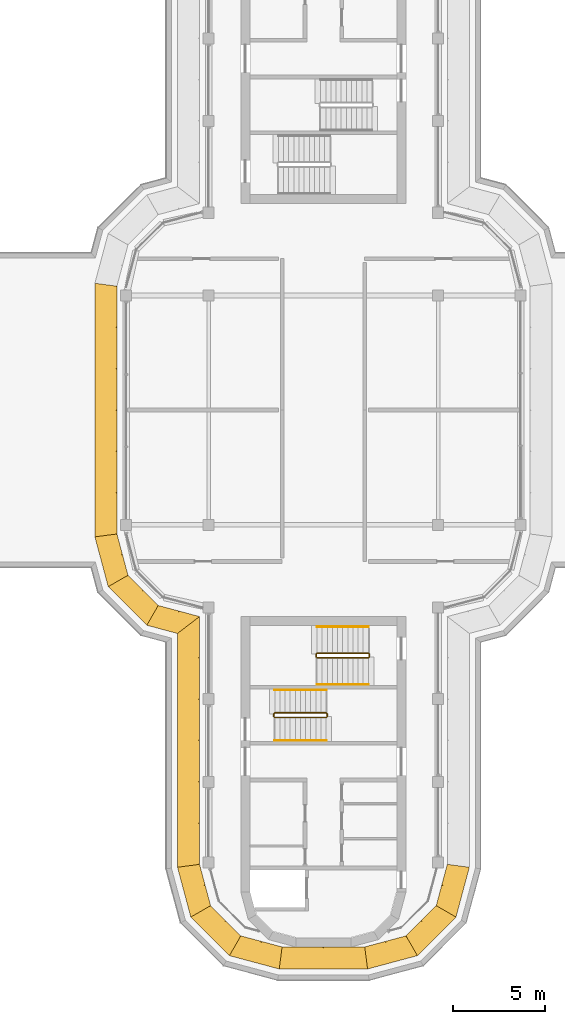
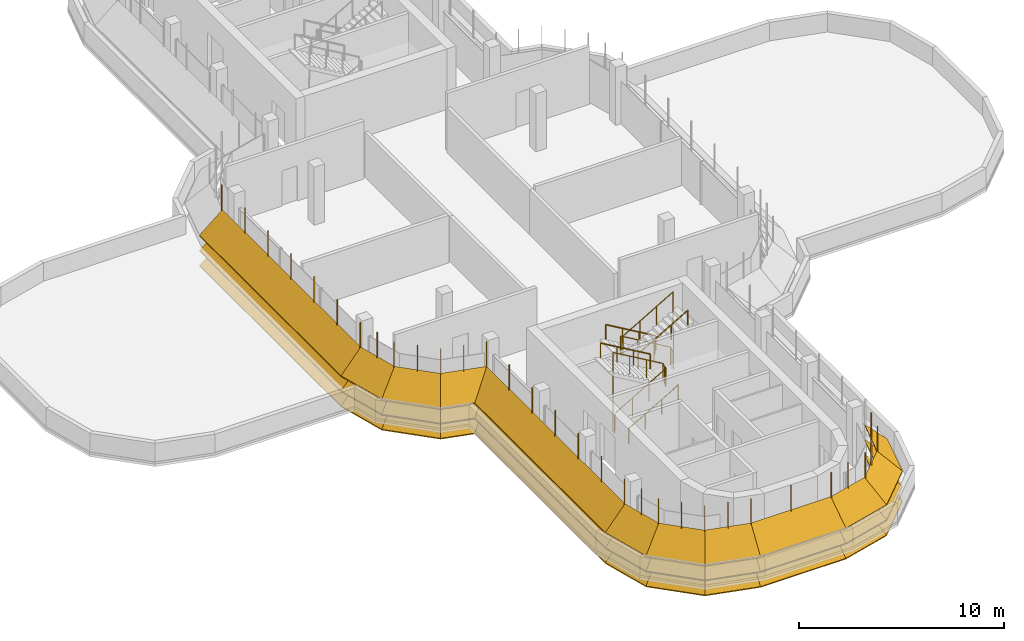
# One storey, part 11 of 13: 6 railings, 6 shading devices.
"""IFC4 building model written with IfcOpenShell, lengths in metres."""

from ifc_helpers import new_model, si_unit, direction, frame, origin, origin_2d, place, context, subcontext, project, spatial, polyline, circle, outline, extrude, faceted_brep, source, transform, mapped, material, type_object, element, save


model = new_model("IFC4")

# Units and contexts
model_context = context("Model", 3, precision=1e-05, world=origin(), true_north=direction((0.0, 1.0)))
body_context = subcontext(model_context, "Body", "Model", "MODEL_VIEW")
ifc_project = project(units=[si_unit("LENGTHUNIT", "METRE"), si_unit("AREAUNIT", "SQUARE_METRE"), si_unit("VOLUMEUNIT", "CUBIC_METRE"), si_unit("PLANEANGLEUNIT", "RADIAN"), si_unit("MASSUNIT", "GRAM", prefix="KILO")], contexts=[model_context])

# Site, building, storey
site_placement = place(None, origin())
site = spatial("IfcSite", under=ifc_project, at=site_placement, CompositionType="ELEMENT")
building_placement = place(site_placement, origin())
building = spatial("IfcBuilding", under=site, at=building_placement, Name="Zarbagh Exchange Tower", CompositionType="ELEMENT")
storey_placement = place(building_placement, frame((0.0, 0.0, 298.800048828125)))
storey = spatial("IfcBuildingStorey", under=building, at=storey_placement, Name="L73", CompositionType="ELEMENT", Elevation=298.800048828125)

# Railings
ifc_material_1 = material(Name="Stainless steel", Category="steel")
railing_type_1 = type_object("IfcRailingType", Name="Stair guard 1100 mm", PredefinedType="GUARDRAIL", material=ifc_material_1)
railing_1_placement = place(storey_placement, frame((-2.64990234375, -16.75, 0.16357421875)))
element("IfcRailing", 1, at=railing_1_placement, inside=storey, type_object=railing_type_1, Name="ST3 stair guard 1", PredefinedType="GUARDRAIL", context=body_context, shape_type="SweptSolid", body=[
    extrude(circle(Radius=0.02392578125, at=origin_2d()), frame((0.0, 0.0, 1.076171875), z_axis=(0.863341702679, 0.0, 0.504619762213), x_axis=(0.0, 1.0, 0.0)), (0.0, 0.0, 1.0), 3.242919921875),
    extrude(circle(Radius=0.02392578125, at=origin_2d()), frame((2.7998046875, 0.0, 2.71240234375), z_axis=(0.707106781187, 0.707106781187, 0.0), x_axis=(-0.707106781187, 0.707106781187, 0.0)), (0.0, 0.0, 1.0), 0.07080078125),
    extrude(circle(Radius=0.02392578125, at=origin_2d()), frame((2.849853515625, 0.050048828125, 2.71240234375), z_axis=(0.0, 1.0, 0.0), x_axis=(-1.0, 0.0, 0.0)), (0.0, 0.0, 1.0), 0.14990234375),
    extrude(circle(Radius=0.02392578125, at=origin_2d()), frame((2.849853515625, 0.199951171875, 2.71240234375), z_axis=(-0.280808744504, 0.280808744504, 0.917765164963), x_axis=(-0.707106781187, -0.707106781187, 0.0)), (0.0, 0.0, 1.0), 0.17822265625),
    extrude(circle(Radius=0.02392578125, at=origin_2d()), frame((2.7998046875, 0.25, 2.8759765625), z_axis=(-0.863374499697, 0.0, 0.504563646405), x_axis=(0.0, -1.0, 0.0)), (0.0, 0.0, 1.0), 3.242919921875),
    extrude(circle(Radius=0.02392578125, at=origin_2d()), frame((0.0, 0.25, 4.51220703125), z_axis=(-0.013900331382, -0.013900331382, -0.999806762117), x_axis=(0.707106781187, -0.707106781187, 0.0)), (0.0, 0.0, 1.0), 3.6005859375),
    extrude(circle(Radius=0.02392578125, at=origin_2d()), frame((-0.050048828125, 0.199951171875, 0.91259765625), z_axis=(0.0, -1.0, 0.0), x_axis=(1.0, 0.0, 0.0)), (0.0, 0.0, 1.0), 0.14990234375),
    extrude(circle(Radius=0.02099609375, at=origin_2d()), origin(), (0.0, 0.0, 1.0), 1.052001953125),
    extrude(circle(Radius=0.02099609375, at=origin_2d()), frame((0.933349609375, 0.0, 0.54541015625)), (0.0, 0.0, 1.0), 1.052001953125),
    extrude(circle(Radius=0.02099609375, at=origin_2d()), frame((1.866455078125, 0.0, 1.091064453125)), (0.0, 0.0, 1.0), 1.052001953125),
    extrude(circle(Radius=0.02099609375, at=origin_2d()), frame((2.7998046875, 0.0, 1.636474609375)), (0.0, 0.0, 1.0), 1.052001953125),
    extrude(circle(Radius=0.02099609375, at=origin_2d()), frame((2.849853515625, 0.050048828125, 1.636474609375)), (0.0, 0.0, 1.0), 1.052001953125),
    extrude(circle(Radius=0.02099609375, at=origin_2d()), frame((2.849853515625, 0.199951171875, 1.636474609375)), (0.0, 0.0, 1.0), 1.052001953125),
    extrude(circle(Radius=0.02099609375, at=origin_2d()), frame((2.7998046875, 0.25, 1.800048828125)), (0.0, 0.0, 1.0), 1.052001953125),
    extrude(circle(Radius=0.02099609375, at=origin_2d()), frame((1.866455078125, 0.25, 2.345458984375)), (0.0, 0.0, 1.0), 1.052001953125),
    extrude(circle(Radius=0.02099609375, at=origin_2d()), frame((0.933349609375, 0.25, 2.890869140625)), (0.0, 0.0, 1.0), 1.052001953125),
    extrude(circle(Radius=0.02099609375, at=origin_2d()), frame((0.0, 0.25, 3.436279296875)), (0.0, 0.0, 1.0), 1.052001953125),
    extrude(circle(Radius=0.02099609375, at=origin_2d()), frame((-0.012451171875, 0.237548828125, 2.536376953125)), (0.0, 0.0, 1.0), 1.052001953125),
    extrude(circle(Radius=0.02099609375, at=origin_2d()), frame((-0.02490234375, 0.22509765625, 1.63623046875)), (0.0, 0.0, 1.0), 1.052001953125),
    extrude(circle(Radius=0.02099609375, at=origin_2d()), frame((-0.03759765625, 0.21240234375, 0.736328125)), (0.0, 0.0, 1.0), 1.052001953125),
    extrude(circle(Radius=0.02099609375, at=origin_2d()), frame((-0.050048828125, 0.199951171875, -0.16357421875)), (0.0, 0.0, 1.0), 1.052001953125),
    extrude(circle(Radius=0.02099609375, at=origin_2d()), frame((-0.050048828125, 0.050048828125, -0.16357421875)), (0.0, 0.0, 1.0), 1.052001953125),
])
railing_2_placement = place(storey_placement, frame((-0.35009765625, -13.5, 1.963623046875)))
element("IfcRailing", 2, at=railing_2_placement, inside=storey, type_object=railing_type_1, Name="ST4 stair guard 1", PredefinedType="GUARDRAIL", context=body_context, shape_type="SweptSolid", body=[
    extrude(circle(Radius=0.02392578125, at=origin_2d()), frame((0.0, 0.0, 1.076171875), z_axis=(0.863393664356, 0.0, 0.504530851732), x_axis=(0.0, 1.0, 0.0)), (0.0, 0.0, 1.0), 3.2431640625),
    extrude(circle(Radius=0.02392578125, at=origin_2d()), frame((2.800048828125, 0.0, 2.71240234375), z_axis=(0.013900331382, 0.013900331382, -0.999806762117), x_axis=(-0.707106781187, 0.707106781187, 0.0)), (0.0, 0.0, 1.0), 3.6005859375),
    extrude(circle(Radius=0.02392578125, at=origin_2d()), frame((2.85009765625, 0.050048828125, -0.8876953125), z_axis=(0.0, 1.0, 0.0), x_axis=(-1.0, 0.0, 0.0)), (0.0, 0.0, 1.0), 0.14990234375),
    extrude(circle(Radius=0.02392578125, at=origin_2d()), frame((2.85009765625, 0.199951171875, -0.8876953125), z_axis=(-0.280808744504, 0.280808744504, 0.917765164963), x_axis=(-0.707106781187, -0.707106781187, 0.0)), (0.0, 0.0, 1.0), 0.17822265625),
    extrude(circle(Radius=0.02392578125, at=origin_2d()), frame((2.800048828125, 0.25, -0.72412109375), z_axis=(-0.863360870873, 0.0, 0.504586966384), x_axis=(0.0, -1.0, 0.0)), (0.0, 0.0, 1.0), 3.2431640625),
    extrude(circle(Radius=0.02392578125, at=origin_2d()), frame((0.0, 0.25, 0.91259765625), z_axis=(-0.705375805398, -0.708833529934, 0.0), x_axis=(0.708833529934, -0.705375805398, 0.0)), (0.0, 0.0, 1.0), 0.070556640625),
    extrude(circle(Radius=0.02392578125, at=origin_2d()), frame((-0.0498046875, 0.199951171875, 0.91259765625), z_axis=(0.0, -1.0, 0.0), x_axis=(1.0, 0.0, 0.0)), (0.0, 0.0, 1.0), 0.14990234375),
    extrude(circle(Radius=0.02099609375, at=origin_2d()), origin(), (0.0, 0.0, 1.0), 1.052001953125),
    extrude(circle(Radius=0.02099609375, at=origin_2d()), frame((0.933349609375, 0.0, 0.54541015625)), (0.0, 0.0, 1.0), 1.052001953125),
    extrude(circle(Radius=0.02099609375, at=origin_2d()), frame((1.86669921875, 0.0, 1.0908203125)), (0.0, 0.0, 1.0), 1.052001953125),
    extrude(circle(Radius=0.02099609375, at=origin_2d()), frame((2.800048828125, 0.0, 1.63623046875)), (0.0, 0.0, 1.0), 1.052001953125),
    extrude(circle(Radius=0.02099609375, at=origin_2d()), frame((2.8125, 0.012451171875, 0.736328125)), (0.0, 0.0, 1.0), 1.052001953125),
    extrude(circle(Radius=0.02099609375, at=origin_2d()), frame((2.8251953125, 0.02490234375, -0.16357421875)), (0.0, 0.0, 1.0), 1.052001953125),
    extrude(circle(Radius=0.02099609375, at=origin_2d()), frame((2.837646484375, 0.03759765625, -1.063720703125)), (0.0, 0.0, 1.0), 1.052001953125),
    extrude(circle(Radius=0.02099609375, at=origin_2d()), frame((2.85009765625, 0.050048828125, -1.963623046875)), (0.0, 0.0, 1.0), 1.052001953125),
    extrude(circle(Radius=0.02099609375, at=origin_2d()), frame((2.85009765625, 0.199951171875, -1.963623046875)), (0.0, 0.0, 1.0), 1.052001953125),
    extrude(circle(Radius=0.02099609375, at=origin_2d()), frame((2.800048828125, 0.25, -1.800048828125)), (0.0, 0.0, 1.0), 1.052001953125),
    extrude(circle(Radius=0.02099609375, at=origin_2d()), frame((1.86669921875, 0.25, -1.254638671875)), (0.0, 0.0, 1.0), 1.052001953125),
    extrude(circle(Radius=0.02099609375, at=origin_2d()), frame((0.933349609375, 0.25, -0.708984375)), (0.0, 0.0, 1.0), 1.052001953125),
    extrude(circle(Radius=0.02099609375, at=origin_2d()), frame((0.0, 0.25, -0.16357421875)), (0.0, 0.0, 1.0), 1.052001953125),
    extrude(circle(Radius=0.02099609375, at=origin_2d()), frame((-0.0498046875, 0.199951171875, -0.16357421875)), (0.0, 0.0, 1.0), 1.052001953125),
    extrude(circle(Radius=0.02099609375, at=origin_2d()), frame((-0.0498046875, 0.050048828125, -0.16357421875)), (0.0, 0.0, 1.0), 1.052001953125),
])
railing_type_2 = type_object("IfcRailingType", Name="Stair handrail 900 mm", PredefinedType="HANDRAIL", material=ifc_material_1)
railing_3_placement = place(storey_placement, frame((-2.64990234375, -18.0, 0.16357421875)))
element("IfcRailing", 3, at=railing_3_placement, inside=storey, type_object=railing_type_2, Name="ST3 stair handrail 1", PredefinedType="HANDRAIL", context=body_context, shape_type="SweptSolid", body=[
    extrude(circle(Radius=0.02392578125, at=origin_2d()), frame((0.0, 0.0, 0.8759765625), z_axis=(0.863341702679, 0.0, 0.504619762213), x_axis=(0.0, 1.0, 0.0)), (0.0, 0.0, 1.0), 3.242919921875),
    extrude(circle(Radius=0.02099609375, at=origin_2d()), origin(), (0.0, 0.0, 1.0), 0.851806640625),
    extrude(circle(Radius=0.02099609375, at=origin_2d()), frame((0.933349609375, 0.0, 0.54541015625)), (0.0, 0.0, 1.0), 0.851806640625),
    extrude(circle(Radius=0.02099609375, at=origin_2d()), frame((1.866455078125, 0.0, 1.091064453125)), (0.0, 0.0, 1.0), 0.851806640625),
    extrude(circle(Radius=0.02099609375, at=origin_2d()), frame((2.7998046875, 0.0, 1.636474609375)), (0.0, 0.0, 1.0), 0.851806640625),
])
railing_4_placement = place(storey_placement, frame((0.14990234375, -15.25, 1.963623046875)))
element("IfcRailing", 4, at=railing_4_placement, inside=storey, type_object=railing_type_2, Name="ST3 stair handrail 2", PredefinedType="HANDRAIL", context=body_context, shape_type="SweptSolid", body=[
    extrude(circle(Radius=0.02392578125, at=origin_2d()), frame((0.0, 0.0, 0.8759765625), z_axis=(-0.863374499697, 0.0, 0.504563646405), x_axis=(0.0, -1.0, 0.0)), (0.0, 0.0, 1.0), 3.242919921875),
    extrude(circle(Radius=0.02099609375, at=origin_2d()), origin(), (0.0, 0.0, 1.0), 0.851806640625),
    extrude(circle(Radius=0.02099609375, at=origin_2d()), frame((-0.933349609375, 0.0, 0.54541015625)), (0.0, 0.0, 1.0), 0.851806640625),
    extrude(circle(Radius=0.02099609375, at=origin_2d()), frame((-1.866455078125, 0.0, 1.0908203125)), (0.0, 0.0, 1.0), 0.851806640625),
    extrude(circle(Radius=0.02099609375, at=origin_2d()), frame((-2.7998046875, 0.0, 1.63623046875)), (0.0, 0.0, 1.0), 0.851806640625),
])
railing_5_placement = place(storey_placement, frame((2.449951171875, -11.800048828125, 0.16357421875)))
element("IfcRailing", 5, at=railing_5_placement, inside=storey, type_object=railing_type_2, Name="ST4 stair handrail 1", PredefinedType="HANDRAIL", context=body_context, shape_type="SweptSolid", body=[
    extrude(circle(Radius=0.02392578125, at=origin_2d()), frame((0.0, 0.0, 0.8759765625), z_axis=(-0.863360870873, 0.0, 0.504586966384), x_axis=(0.0, -1.0, 0.0)), (0.0, 0.0, 1.0), 3.2431640625),
    extrude(circle(Radius=0.02099609375, at=origin_2d()), origin(), (0.0, 0.0, 1.0), 0.851806640625),
    extrude(circle(Radius=0.02099609375, at=origin_2d()), frame((-0.933349609375, 0.0, 0.54541015625)), (0.0, 0.0, 1.0), 0.851806640625),
    extrude(circle(Radius=0.02099609375, at=origin_2d()), frame((-1.86669921875, 0.0, 1.091064453125)), (0.0, 0.0, 1.0), 0.851806640625),
    extrude(circle(Radius=0.02099609375, at=origin_2d()), frame((-2.800048828125, 0.0, 1.636474609375)), (0.0, 0.0, 1.0), 0.851806640625),
])
railing_6_placement = place(storey_placement, frame((-0.35009765625, -14.949951171875, 1.963623046875)))
element("IfcRailing", 6, at=railing_6_placement, inside=storey, type_object=railing_type_2, Name="ST4 stair handrail 2", PredefinedType="HANDRAIL", context=body_context, shape_type="SweptSolid", body=[
    extrude(circle(Radius=0.02392578125, at=origin_2d()), frame((0.0, 0.0, 0.8759765625), z_axis=(0.863393664356, 0.0, 0.504530851732), x_axis=(0.0, 1.0, 0.0)), (0.0, 0.0, 1.0), 3.2431640625),
    extrude(circle(Radius=0.02099609375, at=origin_2d()), origin(), (0.0, 0.0, 1.0), 0.851806640625),
    extrude(circle(Radius=0.02099609375, at=origin_2d()), frame((0.933349609375, 0.0, 0.54541015625)), (0.0, 0.0, 1.0), 0.851806640625),
    extrude(circle(Radius=0.02099609375, at=origin_2d()), frame((1.86669921875, 0.0, 1.0908203125)), (0.0, 0.0, 1.0), 0.851806640625),
    extrude(circle(Radius=0.02099609375, at=origin_2d()), frame((2.800048828125, 0.0, 1.63623046875)), (0.0, 0.0, 1.0), 0.851806640625),
])

# Shading devices
ifc_material_2 = material(Name="Anodised aluminium blades and brackets", Category="aluminium")
shading_device_type = type_object("IfcShadingDeviceType", Name="SUNSHADE louvre band, 45 degree blades", PredefinedType="JALOUSIE", material=ifc_material_2)
shared_shape_1 = source(origin(), body_context, "Body", "Brep", [
    faceted_brep([(0.0, 0.0, 0.0), (0.0, 0.0, -0.056640625), (-0.157958984375, -1.199951171875, -1.256591796875), (-0.157958984375, -1.199951171875, -1.199951171875), (2.65087890625, -1.199951171875, -1.199951171875), (2.65087890625, -1.199951171875, -1.256591796875), (2.329345703125, 0.0, -0.056640625), (2.329345703125, 0.0, 0.0)], [[[0, 1, 2, 3]], [[4, 5, 6, 7]], [[0, 7, 6, 1]], [[1, 6, 5, 2]], [[2, 5, 4, 3]], [[3, 4, 7, 0]]]),
])
shared_shape_2 = source(origin(), body_context, "Body", "Brep", [
    faceted_brep([(0.0, 0.0, 0.0), (0.0, 0.0, -0.056640625), (-0.321533203125, -1.199951171875, -1.256591796875), (-0.321533203125, -1.199951171875, -1.199951171875), (2.65087890625, -1.199951171875, -1.199951171875), (2.65087890625, -1.199951171875, -1.256591796875), (2.329345703125, 0.0, -0.056640625), (2.329345703125, 0.0, 0.0)], [[[0, 1, 2, 3]], [[4, 5, 6, 7]], [[0, 7, 6, 1]], [[1, 6, 5, 2]], [[2, 5, 4, 3]], [[3, 4, 7, 0]]]),
])
shared_shape_3 = source(origin(), body_context, "Body", "Brep", [
    faceted_brep([(0.0, 0.0, 0.0), (0.0, 0.0, -0.056640625), (-0.321533203125, -1.199951171875, -1.256591796875), (-0.321533203125, -1.199951171875, -1.199951171875), (2.4873046875, -1.199951171875, -1.199951171875), (2.4873046875, -1.199951171875, -1.256591796875), (2.329345703125, 0.0, -0.056640625), (2.329345703125, 0.0, 0.0)], [[[0, 1, 2, 3]], [[4, 5, 6, 7]], [[0, 7, 6, 1]], [[1, 6, 5, 2]], [[2, 5, 4, 3]], [[3, 4, 7, 0]]]),
])
shared_shape_4 = source(origin(), body_context, "Body", "SweptSolid", [
    extrude(outline(polyline([(0.0, -0.012451171875), (0.06005859375, -0.012451171875), (0.06005859375, 0.012451171875), (0.0, 0.012451171875), (0.0, -0.012451171875)])), origin(), (0.0, 0.0, 1.0), 3.366455078125),
])
placement = place(storey_placement, origin())
element("IfcShadingDevice", 7, at=placement, inside=storey, type_object=shading_device_type, Name="SS55 sunshade band", PredefinedType="JALOUSIE", context=body_context, shape_type="MappedRepresentation", body=[
    mapped(shared_shape_1, transform((2.25, -29.25, 2.099853515625), x_axis=(0.965924289636, 0.258824779902, 0.0), y_axis=(-0.258824779902, 0.965924289636, 0.0), z_axis=(0.0, 0.0, 1.0))),
    mapped(shared_shape_1, transform((2.25, -29.25, 1.199951171875), x_axis=(0.965924289636, 0.258824779902, 0.0), y_axis=(-0.258824779902, 0.965924289636, 0.0), z_axis=(0.0, 0.0, 1.0))),
    mapped(shared_shape_1, transform((2.25, -29.25, 0.300048828125), x_axis=(0.965924289636, 0.258824779902, 0.0), y_axis=(-0.258824779902, 0.965924289636, 0.0), z_axis=(0.0, 0.0, 1.0))),
    mapped(shared_shape_2, transform((4.5, -28.647216796875, 2.099853515625), x_axis=(0.707106781187, 0.707106781187, 0.0), y_axis=(-0.707106781187, 0.707106781187, 0.0), z_axis=(0.0, 0.0, 1.0))),
    mapped(shared_shape_2, transform((4.5, -28.647216796875, 1.199951171875), x_axis=(0.707106781187, 0.707106781187, 0.0), y_axis=(-0.707106781187, 0.707106781187, 0.0), z_axis=(0.0, 0.0, 1.0))),
    mapped(shared_shape_2, transform((4.5, -28.647216796875, 0.300048828125), x_axis=(0.707106781187, 0.707106781187, 0.0), y_axis=(-0.707106781187, 0.707106781187, 0.0), z_axis=(0.0, 0.0, 1.0))),
    mapped(shared_shape_3, transform((6.147216796875, -27.0, 2.099853515625), x_axis=(0.258824779902, 0.965924289636, 0.0), y_axis=(-0.965924289636, 0.258824779902, 0.0), z_axis=(0.0, 0.0, 1.0))),
    mapped(shared_shape_3, transform((6.147216796875, -27.0, 1.199951171875), x_axis=(0.258824779902, 0.965924289636, 0.0), y_axis=(-0.965924289636, 0.258824779902, 0.0), z_axis=(0.0, 0.0, 1.0))),
    mapped(shared_shape_3, transform((6.147216796875, -27.0, 0.300048828125), x_axis=(0.258824779902, 0.965924289636, 0.0), y_axis=(-0.965924289636, 0.258824779902, 0.0), z_axis=(0.0, 0.0, 1.0))),
    mapped(shared_shape_4, transform((2.25, -29.25, 0.21337890625), x_axis=(0.130529263012, -0.991444457092, 0.0), y_axis=(0.991444457092, 0.130529263012, 0.0), z_axis=(0.0, 0.0, 1.0))),
    mapped(shared_shape_4, transform((3.375, -28.948486328125, 0.21337890625), x_axis=(0.258825058029, -0.96592421511, 0.0), y_axis=(0.96592421511, 0.258825058029, 0.0), z_axis=(0.0, 0.0, 1.0))),
    mapped(shared_shape_4, transform((4.5, -28.647216796875, 0.21337890625), x_axis=(0.50000275701, -0.866023812018, 0.0), y_axis=(0.866023812018, 0.50000275701, 0.0), z_axis=(0.0, 0.0, 1.0))),
    mapped(shared_shape_4, transform((5.323486328125, -27.823486328125, 0.21337890625), x_axis=(0.707106781187, -0.707106781187, 0.0), y_axis=(0.707106781187, 0.707106781187, 0.0), z_axis=(0.0, 0.0, 1.0))),
    mapped(shared_shape_4, transform((6.147216796875, -27.0, 0.21337890625), x_axis=(0.866023812018, -0.50000275701, 0.0), y_axis=(0.50000275701, 0.866023812018, 0.0), z_axis=(0.0, 0.0, 1.0))),
    mapped(shared_shape_4, transform((6.448486328125, -25.875, 0.21337890625), x_axis=(0.96592421511, -0.258825058029, 0.0), y_axis=(0.258825058029, 0.96592421511, 0.0), z_axis=(0.0, 0.0, 1.0))),
])
shared_shape_5 = source(origin(), body_context, "Body", "Brep", [
    faceted_brep([(0.0, 0.0, 0.0), (0.0, 0.0, -0.056640625), (-0.321533203125, -1.199951171875, -1.256591796875), (-0.321533203125, -1.199951171875, -1.199951171875), (1.40869140625, -1.199951171875, -1.199951171875), (1.40869140625, -1.199951171875, -1.256591796875), (2.329345703125, 0.0, -0.056640625), (2.329345703125, 0.0, 0.0)], [[[0, 1, 2, 3]], [[4, 5, 6, 7]], [[0, 7, 6, 1]], [[1, 6, 5, 2]], [[2, 5, 4, 3]], [[3, 4, 7, 0]]]),
])
element("IfcShadingDevice", 8, at=placement, inside=storey, type_object=shading_device_type, Name="SS21 sunshade band", PredefinedType="JALOUSIE", context=body_context, shape_type="MappedRepresentation", body=[
    mapped(shared_shape_1, transform((-11.25, -6.75, 2.099853515625), x_axis=(0.258824779902, -0.965924289636, 0.0), y_axis=(0.965924289636, 0.258824779902, 0.0), z_axis=(0.0, 0.0, 1.0))),
    mapped(shared_shape_1, transform((-11.25, -6.75, 1.199951171875), x_axis=(0.258824779902, -0.965924289636, 0.0), y_axis=(0.965924289636, 0.258824779902, 0.0), z_axis=(0.0, 0.0, 1.0))),
    mapped(shared_shape_1, transform((-11.25, -6.75, 0.300048828125), x_axis=(0.258824779902, -0.965924289636, 0.0), y_axis=(0.965924289636, 0.258824779902, 0.0), z_axis=(0.0, 0.0, 1.0))),
    mapped(shared_shape_2, transform((-10.647216796875, -9.0, 2.099853515625), x_axis=(0.707106781187, -0.707106781187, 0.0), y_axis=(0.707106781187, 0.707106781187, 0.0), z_axis=(0.0, 0.0, 1.0))),
    mapped(shared_shape_2, transform((-10.647216796875, -9.0, 1.199951171875), x_axis=(0.707106781187, -0.707106781187, 0.0), y_axis=(0.707106781187, 0.707106781187, 0.0), z_axis=(0.0, 0.0, 1.0))),
    mapped(shared_shape_2, transform((-10.647216796875, -9.0, 0.300048828125), x_axis=(0.707106781187, -0.707106781187, 0.0), y_axis=(0.707106781187, 0.707106781187, 0.0), z_axis=(0.0, 0.0, 1.0))),
    mapped(shared_shape_5, transform((-9.0, -10.647216796875, 2.099853515625), x_axis=(0.965924289636, -0.258824779902, 0.0), y_axis=(0.258824779902, 0.965924289636, 0.0), z_axis=(0.0, 0.0, 1.0))),
    mapped(shared_shape_5, transform((-9.0, -10.647216796875, 1.199951171875), x_axis=(0.965924289636, -0.258824779902, 0.0), y_axis=(0.258824779902, 0.965924289636, 0.0), z_axis=(0.0, 0.0, 1.0))),
    mapped(shared_shape_5, transform((-9.0, -10.647216796875, 0.300048828125), x_axis=(0.965924289636, -0.258824779902, 0.0), y_axis=(0.258824779902, 0.965924289636, 0.0), z_axis=(0.0, 0.0, 1.0))),
    mapped(shared_shape_4, transform((-11.25, -6.75, 0.21337890625), x_axis=(-0.991444457092, -0.130529263012, 0.0), y_axis=(0.130529263012, -0.991444457092, 0.0), z_axis=(0.0, 0.0, 1.0))),
    mapped(shared_shape_4, transform((-10.948486328125, -7.875, 0.21337890625), x_axis=(-0.96592421511, -0.258825058029, 0.0), y_axis=(0.258825058029, -0.96592421511, 0.0), z_axis=(0.0, 0.0, 1.0))),
    mapped(shared_shape_4, transform((-10.647216796875, -9.0, 0.21337890625), x_axis=(-0.866023812018, -0.50000275701, 0.0), y_axis=(0.50000275701, -0.866023812018, 0.0), z_axis=(0.0, 0.0, 1.0))),
    mapped(shared_shape_4, transform((-9.823486328125, -9.823486328125, 0.21337890625), x_axis=(-0.707106781187, -0.707106781187, 0.0), y_axis=(0.707106781187, -0.707106781187, 0.0), z_axis=(0.0, 0.0, 1.0))),
    mapped(shared_shape_4, transform((-9.0, -10.647216796875, 0.21337890625), x_axis=(-0.50000275701, -0.866023812018, 0.0), y_axis=(0.866023812018, -0.50000275701, 0.0), z_axis=(0.0, 0.0, 1.0))),
    mapped(shared_shape_4, transform((-7.875, -10.948486328125, 0.21337890625), x_axis=(-0.258825058029, -0.96592421511, 0.0), y_axis=(0.96592421511, -0.258825058029, 0.0), z_axis=(0.0, 0.0, 1.0))),
])
element("IfcShadingDevice", 9, at=placement, inside=storey, type_object=shading_device_type, Name="SS68 sunshade band", PredefinedType="JALOUSIE", context=body_context, shape_type="MappedRepresentation", body=[
    mapped(shared_shape_1, transform((-6.75, -24.75, 2.099853515625), x_axis=(0.258824779902, -0.965924289636, 0.0), y_axis=(0.965924289636, 0.258824779902, 0.0), z_axis=(0.0, 0.0, 1.0))),
    mapped(shared_shape_1, transform((-6.75, -24.75, 1.199951171875), x_axis=(0.258824779902, -0.965924289636, 0.0), y_axis=(0.965924289636, 0.258824779902, 0.0), z_axis=(0.0, 0.0, 1.0))),
    mapped(shared_shape_1, transform((-6.75, -24.75, 0.300048828125), x_axis=(0.258824779902, -0.965924289636, 0.0), y_axis=(0.965924289636, 0.258824779902, 0.0), z_axis=(0.0, 0.0, 1.0))),
    mapped(shared_shape_2, transform((-6.147216796875, -27.0, 2.099853515625), x_axis=(0.707106781187, -0.707106781187, 0.0), y_axis=(0.707106781187, 0.707106781187, 0.0), z_axis=(0.0, 0.0, 1.0))),
    mapped(shared_shape_2, transform((-6.147216796875, -27.0, 1.199951171875), x_axis=(0.707106781187, -0.707106781187, 0.0), y_axis=(0.707106781187, 0.707106781187, 0.0), z_axis=(0.0, 0.0, 1.0))),
    mapped(shared_shape_2, transform((-6.147216796875, -27.0, 0.300048828125), x_axis=(0.707106781187, -0.707106781187, 0.0), y_axis=(0.707106781187, 0.707106781187, 0.0), z_axis=(0.0, 0.0, 1.0))),
    mapped(shared_shape_3, transform((-4.5, -28.647216796875, 2.099853515625), x_axis=(0.965924289636, -0.258824779902, 0.0), y_axis=(0.258824779902, 0.965924289636, 0.0), z_axis=(0.0, 0.0, 1.0))),
    mapped(shared_shape_3, transform((-4.5, -28.647216796875, 1.199951171875), x_axis=(0.965924289636, -0.258824779902, 0.0), y_axis=(0.258824779902, 0.965924289636, 0.0), z_axis=(0.0, 0.0, 1.0))),
    mapped(shared_shape_3, transform((-4.5, -28.647216796875, 0.300048828125), x_axis=(0.965924289636, -0.258824779902, 0.0), y_axis=(0.258824779902, 0.965924289636, 0.0), z_axis=(0.0, 0.0, 1.0))),
    mapped(shared_shape_4, transform((-6.75, -24.75, 0.21337890625), x_axis=(-0.991444457092, -0.130529263012, 0.0), y_axis=(0.130529263012, -0.991444457092, 0.0), z_axis=(0.0, 0.0, 1.0))),
    mapped(shared_shape_4, transform((-6.448486328125, -25.875, 0.21337890625), x_axis=(-0.96592421511, -0.258825058029, 0.0), y_axis=(0.258825058029, -0.96592421511, 0.0), z_axis=(0.0, 0.0, 1.0))),
    mapped(shared_shape_4, transform((-6.147216796875, -27.0, 0.21337890625), x_axis=(-0.866023812018, -0.50000275701, 0.0), y_axis=(0.50000275701, -0.866023812018, 0.0), z_axis=(0.0, 0.0, 1.0))),
    mapped(shared_shape_4, transform((-5.323486328125, -27.823486328125, 0.21337890625), x_axis=(-0.707106781187, -0.707106781187, 0.0), y_axis=(0.707106781187, -0.707106781187, 0.0), z_axis=(0.0, 0.0, 1.0))),
    mapped(shared_shape_4, transform((-4.5, -28.647216796875, 0.21337890625), x_axis=(-0.50000275701, -0.866023812018, 0.0), y_axis=(0.866023812018, -0.50000275701, 0.0), z_axis=(0.0, 0.0, 1.0))),
    mapped(shared_shape_4, transform((-3.375, -28.948486328125, 0.21337890625), x_axis=(-0.258825058029, -0.96592421511, 0.0), y_axis=(0.96592421511, -0.258825058029, 0.0), z_axis=(0.0, 0.0, 1.0))),
])
shared_shape_6 = source(origin(), body_context, "Body", "Brep", [
    faceted_brep([(0.0, 0.0, 0.0), (0.0, 0.0, -0.056640625), (-0.157958984375, -1.199951171875, -1.256591796875), (-0.157958984375, -1.199951171875, -1.199951171875), (13.657958984375, -1.199951171875, -1.199951171875), (13.657958984375, -1.199951171875, -1.256591796875), (13.5, 0.0, -0.056640625), (13.5, 0.0, 0.0)], [[[0, 1, 2, 3]], [[4, 5, 6, 7]], [[0, 7, 6, 1]], [[1, 6, 5, 2]], [[2, 5, 4, 3]], [[3, 4, 7, 0]]]),
])
element("IfcShadingDevice", 10, at=placement, inside=storey, type_object=shading_device_type, Name="SS71 sunshade band", PredefinedType="JALOUSIE", context=body_context, shape_type="MappedRepresentation", body=[
    mapped(shared_shape_6, transform((-11.25, 6.75, 2.099853515625), x_axis=(0.0, -1.0, 0.0), y_axis=(1.0, 0.0, 0.0), z_axis=(0.0, 0.0, 1.0))),
    mapped(shared_shape_6, transform((-11.25, 6.75, 1.199951171875), x_axis=(0.0, -1.0, 0.0), y_axis=(1.0, 0.0, 0.0), z_axis=(0.0, 0.0, 1.0))),
    mapped(shared_shape_6, transform((-11.25, 6.75, 0.300048828125), x_axis=(0.0, -1.0, 0.0), y_axis=(1.0, 0.0, 0.0), z_axis=(0.0, 0.0, 1.0))),
    mapped(shared_shape_4, transform((-11.25, 6.75, 0.21337890625), x_axis=(-0.991444457092, 0.130529263012, 0.0), y_axis=(-0.130529263012, -0.991444457092, 0.0), z_axis=(0.0, 0.0, 1.0))),
    mapped(shared_shape_4, transform((-11.25, 4.5, 0.21337890625), x_axis=(-1.0, 0.0, 0.0), y_axis=(0.0, -1.0, 0.0), z_axis=(0.0, 0.0, 1.0))),
    mapped(shared_shape_4, transform((-11.25, 2.25, 0.21337890625), x_axis=(-1.0, 0.0, 0.0), y_axis=(0.0, -1.0, 0.0), z_axis=(0.0, 0.0, 1.0))),
    mapped(shared_shape_4, transform((-11.25, 0.0, 0.21337890625), x_axis=(-1.0, 0.0, 0.0), y_axis=(0.0, -1.0, 0.0), z_axis=(0.0, 0.0, 1.0))),
    mapped(shared_shape_4, transform((-11.25, -2.25, 0.21337890625), x_axis=(-1.0, 0.0, 0.0), y_axis=(0.0, -1.0, 0.0), z_axis=(0.0, 0.0, 1.0))),
    mapped(shared_shape_4, transform((-11.25, -4.5, 0.21337890625), x_axis=(-1.0, 0.0, 0.0), y_axis=(0.0, -1.0, 0.0), z_axis=(0.0, 0.0, 1.0))),
])
shared_shape_7 = source(origin(), body_context, "Body", "Brep", [
    faceted_brep([(0.0, 0.0, 0.0), (0.0, 0.0, -0.056640625), (0.9208984375, -1.199951171875, -1.256591796875), (0.9208984375, -1.199951171875, -1.199951171875), (13.657958984375, -1.199951171875, -1.199951171875), (13.657958984375, -1.199951171875, -1.256591796875), (13.5, 0.0, -0.056640625), (13.5, 0.0, 0.0)], [[[0, 1, 2, 3]], [[4, 5, 6, 7]], [[0, 7, 6, 1]], [[1, 6, 5, 2]], [[2, 5, 4, 3]], [[3, 4, 7, 0]]]),
])
element("IfcShadingDevice", 11, at=placement, inside=storey, type_object=shading_device_type, Name="SS67 sunshade band", PredefinedType="JALOUSIE", context=body_context, shape_type="MappedRepresentation", body=[
    mapped(shared_shape_7, transform((-6.75, -11.25, 2.099853515625), x_axis=(0.0, -1.0, 0.0), y_axis=(1.0, 0.0, 0.0), z_axis=(0.0, 0.0, 1.0))),
    mapped(shared_shape_7, transform((-6.75, -11.25, 1.199951171875), x_axis=(0.0, -1.0, 0.0), y_axis=(1.0, 0.0, 0.0), z_axis=(0.0, 0.0, 1.0))),
    mapped(shared_shape_7, transform((-6.75, -11.25, 0.300048828125), x_axis=(0.0, -1.0, 0.0), y_axis=(1.0, 0.0, 0.0), z_axis=(0.0, 0.0, 1.0))),
    mapped(shared_shape_4, transform((-6.75, -11.25, 0.21337890625), x_axis=(-0.793355287, -0.608758892, 0.0), y_axis=(0.608758892, -0.793355287, 0.0), z_axis=(0.0, 0.0, 1.0))),
    mapped(shared_shape_4, transform((-6.75, -13.5, 0.21337890625), x_axis=(-1.0, 0.0, 0.0), y_axis=(0.0, -1.0, 0.0), z_axis=(0.0, 0.0, 1.0))),
    mapped(shared_shape_4, transform((-6.75, -15.75, 0.21337890625), x_axis=(-1.0, 0.0, 0.0), y_axis=(0.0, -1.0, 0.0), z_axis=(0.0, 0.0, 1.0))),
    mapped(shared_shape_4, transform((-6.75, -18.0, 0.21337890625), x_axis=(-1.0, 0.0, 0.0), y_axis=(0.0, -1.0, 0.0), z_axis=(0.0, 0.0, 1.0))),
    mapped(shared_shape_4, transform((-6.75, -20.25, 0.21337890625), x_axis=(-1.0, 0.0, 0.0), y_axis=(0.0, -1.0, 0.0), z_axis=(0.0, 0.0, 1.0))),
    mapped(shared_shape_4, transform((-6.75, -22.5, 0.21337890625), x_axis=(-1.0, 0.0, 0.0), y_axis=(0.0, -1.0, 0.0), z_axis=(0.0, 0.0, 1.0))),
])
shared_shape_8 = source(origin(), body_context, "Body", "Brep", [
    faceted_brep([(0.0, 0.0, 0.0), (0.0, 0.0, -0.056640625), (-0.157958984375, -1.199951171875, -1.256591796875), (-0.157958984375, -1.199951171875, -1.199951171875), (4.657958984375, -1.199951171875, -1.199951171875), (4.657958984375, -1.199951171875, -1.256591796875), (4.5, 0.0, -0.056640625), (4.5, 0.0, 0.0)], [[[0, 1, 2, 3]], [[4, 5, 6, 7]], [[0, 7, 6, 1]], [[1, 6, 5, 2]], [[2, 5, 4, 3]], [[3, 4, 7, 0]]]),
])
element("IfcShadingDevice", 12, at=placement, inside=storey, type_object=shading_device_type, Name="SS69 sunshade band", PredefinedType="JALOUSIE", context=body_context, shape_type="MappedRepresentation", body=[
    mapped(shared_shape_8, transform((-2.25, -29.25, 2.099853515625), x_axis=(1.0, 0.0, 0.0), y_axis=(0.0, 1.0, 0.0), z_axis=(0.0, 0.0, 1.0))),
    mapped(shared_shape_8, transform((-2.25, -29.25, 1.199951171875), x_axis=(1.0, 0.0, 0.0), y_axis=(0.0, 1.0, 0.0), z_axis=(0.0, 0.0, 1.0))),
    mapped(shared_shape_8, transform((-2.25, -29.25, 0.300048828125), x_axis=(1.0, 0.0, 0.0), y_axis=(0.0, 1.0, 0.0), z_axis=(0.0, 0.0, 1.0))),
    mapped(shared_shape_4, transform((-2.25, -29.25, 0.21337890625), x_axis=(-0.130529263012, -0.991444457092, 0.0), y_axis=(0.991444457092, -0.130529263012, 0.0), z_axis=(0.0, 0.0, 1.0))),
    mapped(shared_shape_4, transform((0.0, -29.25, 0.21337890625), x_axis=(0.0, -1.0, 0.0), y_axis=(1.0, 0.0, 0.0), z_axis=(0.0, 0.0, 1.0))),
])

save(model, "model.ifc")
